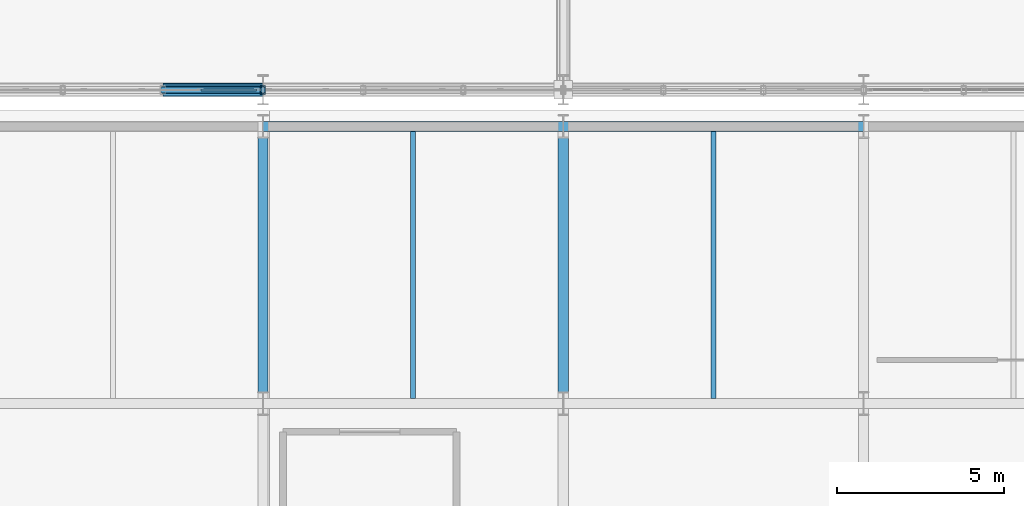
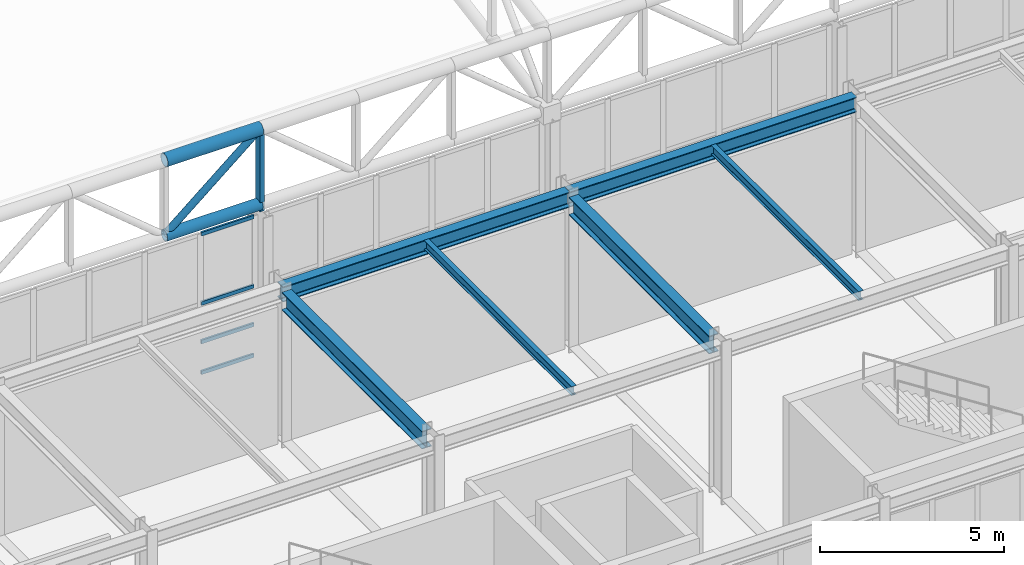
# One storey, part 64 of 239: 8 members, 6 beams, 1 element without a shape of its own.
"""IFC4 building model written with IfcOpenShell, lengths in metres."""

from ifc_helpers import new_model, si_unit, direction, frame, origin, origin_2d, place, context, subcontext, project, spatial, hollow_rectangle, hollow_circle, i_section, extrude, material, material_profile, profile_set, type_object, element, aggregate, save


model = new_model("IFC4")

# Units and contexts
model_context = context("Model", 3, precision=1e-05, world=origin(), true_north=direction((0.0, 1.0)))
body_context = subcontext(model_context, "Body", "Model", "MODEL_VIEW")
ifc_project = project(units=[si_unit("LENGTHUNIT", "METRE"), si_unit("AREAUNIT", "SQUARE_METRE"), si_unit("VOLUMEUNIT", "CUBIC_METRE"), si_unit("PLANEANGLEUNIT", "RADIAN"), si_unit("MASSUNIT", "GRAM", prefix="KILO")], contexts=[model_context])

# Site, building, storey
site_placement = place(None, origin())
site = spatial("IfcSite", under=ifc_project, at=site_placement, CompositionType="ELEMENT")
building_placement = place(site_placement, origin())
building = spatial("IfcBuilding", under=site, at=building_placement, Name="Kaldris Quays Convention Centre", CompositionType="ELEMENT")
storey_placement = place(building_placement, frame((0.0, 0.0, 11.39990234375)))
storey = spatial("IfcBuildingStorey", under=building, at=storey_placement, Name="L02", CompositionType="ELEMENT", Elevation=11.39990234375)

# Curtain wall, members
ifc_material_1 = material(Name="Anodized aluminium AW-6060 and triple glazing", Category="aluminium")
curtain_wall_type = type_object("IfcCurtainWallType", Name="UNITISED CURTAIN WALL CW03", PredefinedType="NOTDEFINED", material=ifc_material_1)
curtain_wall_placement = place(storey_placement, origin())
curtain_wall = element("IfcCurtainWall", 1, at=curtain_wall_placement, inside=storey, type_object=curtain_wall_type, Name="L02 Unitised Curtain Wall CW03 243", PredefinedType="NOTDEFINED")
ifc_material_2 = material(Name="Anodized aluminium AW-6060", Category="aluminium")
ifc_material_profile_1 = material_profile(ifc_material_2, hollow_rectangle(XDim=0.06005859375, YDim=0.1201171875, WallThickness=0.00390625, at=origin_2d()), Name="RHS 120x60x4")
ifc_profile_set_1 = profile_set([ifc_material_profile_1], Name="Anodized aluminium AW-6060")
member_type_1 = type_object("IfcMemberType", Name="CURTAIN TRANSOM CWT1", PredefinedType="USERDEFINED", material=ifc_profile_set_1)
member_1_placement = place(storey_placement, frame((99.14599609375, 56.0, 2.22509765625), z_axis=(1.0, 0.0, 0.0), x_axis=(0.0, 1.0, 0.0)))
member_1 = element("IfcMember", 2, at=member_1_placement, type_object=member_type_1, Name="CW03 transom 5.1", ObjectType="TRANSOM", PredefinedType="USERDEFINED", context=body_context, shape_type="SweptSolid", body=[
    extrude(hollow_rectangle(XDim=0.06005859375, YDim=0.1201171875, WallThickness=0.00390625, at=origin_2d()), origin(), (0.0, 0.0, 1.0), 1.654052734375),
])
member_2_placement = place(storey_placement, frame((99.14599609375, 56.0, 3.2451171875), z_axis=(1.0, 0.0, 0.0), x_axis=(0.0, 1.0, 0.0)))
member_2 = element("IfcMember", 3, at=member_2_placement, type_object=member_type_1, Name="CW03 transom 5.2", ObjectType="TRANSOM", PredefinedType="USERDEFINED", context=body_context, shape_type="SweptSolid", body=[
    extrude(hollow_rectangle(XDim=0.06005859375, YDim=0.1201171875, WallThickness=0.00390625, at=origin_2d()), origin(), (0.0, 0.0, 1.0), 1.654052734375),
])
member_3_placement = place(storey_placement, frame((99.14599609375, 56.0, 4.522216796875), z_axis=(1.0, 0.0, 0.0), x_axis=(0.0, 1.0, 0.0)))
member_3 = element("IfcMember", 4, at=member_3_placement, type_object=member_type_1, Name="CW03 transom 5.3", ObjectType="TRANSOM", PredefinedType="USERDEFINED", context=body_context, shape_type="SweptSolid", body=[
    extrude(hollow_rectangle(XDim=0.06005859375, YDim=0.1201171875, WallThickness=0.00390625, at=origin_2d()), origin(), (0.0, 0.0, 1.0), 1.654052734375),
])
member_4_placement = place(storey_placement, frame((99.14599609375, 56.0, 6.820068359375), z_axis=(1.0, 0.0, 0.0), x_axis=(0.0, 1.0, 0.0)))
member_4 = element("IfcMember", 5, at=member_4_placement, type_object=member_type_1, Name="CW03 transom 5.4", ObjectType="TRANSOM", PredefinedType="USERDEFINED", context=body_context, shape_type="SweptSolid", body=[
    extrude(hollow_rectangle(XDim=0.06005859375, YDim=0.1201171875, WallThickness=0.00390625, at=origin_2d()), origin(), (0.0, 0.0, 1.0), 1.654052734375),
])
aggregate(curtain_wall, [member_1, member_2, member_3, member_4])

# Beams
ifc_material_3 = material(Name="Steel S355J2", Category="steel")
ifc_material_profile_2 = material_profile(ifc_material_3, i_section(OverallWidth=0.300048828125, OverallDepth=0.5, WebThickness=0.014404296875, FlangeThickness=0.028076171875, FilletRadius=0.027099609375, at=origin_2d()), Name="HEB 500")
ifc_profile_set_2 = profile_set([ifc_material_profile_2], Name="Steel S355J2")
beam_type_1 = type_object("IfcBeamType", Name="STRUCTURAL BEAM BM06", PredefinedType="BEAM", material=ifc_profile_set_2)
for number, where, z_axis, x_axis, name in (
    (6, (101.00244140625, 54.89990234375, 4.9130859375), (1.0, 0.0, 0.0), (0.0, 1.0, 0.0), "L02 Girder BM06 21"),
    (7, (110.00244140625, 54.89990234375, 4.9130859375), (1.0, 0.0, 0.0), (0.0, 1.0, 0.0), "L02 Girder BM06 22"),
):
    element("IfcBeam", number, at=place(storey_placement, frame(where, z_axis=z_axis, x_axis=x_axis)), inside=storey, type_object=beam_type_1, Name=name, PredefinedType="BEAM", context=body_context, shape_type="SweptSolid", body=[
        extrude(i_section(OverallWidth=0.300048828125, OverallDepth=0.5, WebThickness=0.014404296875, FlangeThickness=0.028076171875, FilletRadius=0.027099609375, at=origin_2d()), origin(), (0.0, 0.0, 1.0), 8.9951171875),
    ])
ifc_material_profile_3 = material_profile(ifc_material_3, i_section(OverallWidth=0.300048828125, OverallDepth=0.590087890625, WebThickness=0.012939453125, FlangeThickness=0.02490234375, FilletRadius=0.027099609375, at=origin_2d()), Name="HEA 600")
ifc_profile_set_3 = profile_set([ifc_material_profile_3], Name="Steel S355J2")
beam_type_2 = type_object("IfcBeamType", Name="STRUCTURAL BEAM BM08", PredefinedType="BEAM", material=ifc_profile_set_3)
for number, where, z_axis, x_axis, name in (
    (8, (101.0, 46.944091796875, 4.8681640625), (0.0, 1.0, 0.0), (-1.0, 0.0, 0.0), "L02 Girder BM08 59"),
    (9, (110.0, 46.944091796875, 4.8681640625), (0.0, 1.0, 0.0), (-1.0, 0.0, 0.0), "L02 Girder BM08 60"),
):
    element("IfcBeam", number, at=place(storey_placement, frame(where, z_axis=z_axis, x_axis=x_axis)), inside=storey, type_object=beam_type_2, Name=name, PredefinedType="BEAM", context=body_context, shape_type="SweptSolid", body=[
        extrude(i_section(OverallWidth=0.300048828125, OverallDepth=0.590087890625, WebThickness=0.012939453125, FlangeThickness=0.02490234375, FilletRadius=0.027099609375, at=origin_2d()), origin(), (0.0, 0.0, 1.0), 7.61181640625),
    ])
ifc_material_profile_4 = material_profile(ifc_material_3, i_section(OverallWidth=0.14990234375, OverallDepth=0.300048828125, WebThickness=0.007080078125, FlangeThickness=0.0107421875, FilletRadius=0.014892578125, at=origin_2d()), Name="IPE 300")
ifc_profile_set_4 = profile_set([ifc_material_profile_4], Name="Steel S355J2")
beam_type_3 = type_object("IfcBeamType", Name="STRUCTURAL BEAM JT04", PredefinedType="JOIST", material=ifc_profile_set_4)
for number, where, z_axis, x_axis, name in (
    (10, (105.5, 46.743896484375, 5.01318359375), (0.0, 1.0, 0.0), (-1.0, 0.0, 0.0), "L02 Secondary Joist JT04 5"),
    (11, (114.5, 46.743896484375, 5.01318359375), (0.0, 1.0, 0.0), (-1.0, 0.0, 0.0), "L02 Secondary Joist JT04 6"),
):
    element("IfcBeam", number, at=place(storey_placement, frame(where, z_axis=z_axis, x_axis=x_axis)), inside=storey, type_object=beam_type_3, Name=name, PredefinedType="JOIST", context=body_context, shape_type="SweptSolid", body=[
        extrude(i_section(OverallWidth=0.14990234375, OverallDepth=0.300048828125, WebThickness=0.007080078125, FlangeThickness=0.0107421875, FilletRadius=0.014892578125, at=origin_2d()), origin(), (0.0, 0.0, 1.0), 8.01220703125),
    ])

# Members
ifc_material_4 = material(Name="Steel S355J2H", Category="steel")
ifc_material_profile_5 = material_profile(ifc_material_4, hollow_circle(Radius=0.203125, WallThickness=0.01611328125, at=origin_2d()), Name="CHS 406.4x16")
ifc_profile_set_5 = profile_set([ifc_material_profile_5], Name="Steel S355J2H")
member_type_2 = type_object("IfcMemberType", Name="STRUCTURAL MEMBER SC01", PredefinedType="CHORD", material=ifc_profile_set_5)
member_5_placement = place(storey_placement, frame((98.0, 56.0, 9.671875), z_axis=(1.0, 0.0, 0.0), x_axis=(0.0, 1.0, 0.0)))
element("IfcMember", 12, at=member_5_placement, inside=storey, type_object=member_type_2, Name="SF-V1 Top Chord X 27", PredefinedType="CHORD", context=body_context, shape_type="SweptSolid", body=[
    extrude(hollow_circle(Radius=0.203125, WallThickness=0.01611328125, at=origin_2d()), origin(), (0.0, 0.0, 1.0), 3.0),
])
ifc_material_profile_6 = material_profile(ifc_material_4, hollow_circle(Radius=0.177734375, WallThickness=0.01611328125, at=origin_2d()), Name="CHS 355.6x16")
ifc_profile_set_6 = profile_set([ifc_material_profile_6], Name="Steel S355J2H")
member_type_3 = type_object("IfcMemberType", Name="STRUCTURAL MEMBER SC02", PredefinedType="CHORD", material=ifc_profile_set_6)
member_6_placement = place(storey_placement, frame((98.0, 56.0, 7.171875), z_axis=(1.0, 0.0, 0.0), x_axis=(0.0, 1.0, 0.0)))
element("IfcMember", 13, at=member_6_placement, inside=storey, type_object=member_type_3, Name="SF-V1 Bottom Chord X 27", PredefinedType="CHORD", context=body_context, shape_type="SweptSolid", body=[
    extrude(hollow_circle(Radius=0.177734375, WallThickness=0.01611328125, at=origin_2d()), origin(), (0.0, 0.0, 1.0), 3.0),
])
ifc_material_profile_7 = material_profile(ifc_material_4, hollow_circle(Radius=0.109619140625, WallThickness=0.010009765625, at=origin_2d()), Name="CHS 219.1x10")
ifc_profile_set_7 = profile_set([ifc_material_profile_7], Name="Steel S355J2H")
member_type_4 = type_object("IfcMemberType", Name="STRUCTURAL MEMBER SWB1", PredefinedType="BRACE", material=ifc_profile_set_7)
member_7_placement = place(storey_placement, frame((98.0, 56.0, 7.171875), z_axis=(0.768221279597, 0.0, 0.640184399664), x_axis=(0.0, 1.0, 0.0)))
element("IfcMember", 14, at=member_7_placement, inside=storey, type_object=member_type_4, Name="SF-V1 Web Diagonal X 27", PredefinedType="BRACE", context=body_context, shape_type="SweptSolid", body=[
    extrude(hollow_circle(Radius=0.109619140625, WallThickness=0.010009765625, at=origin_2d()), origin(), (0.0, 0.0, 1.0), 3.905029296875),
])
ifc_material_profile_8 = material_profile(ifc_material_4, hollow_rectangle(XDim=0.14990234375, YDim=0.25, WallThickness=0.010009765625, at=origin_2d()), Name="RHS 250x150x10")
ifc_profile_set_8 = profile_set([ifc_material_profile_8], Name="Steel S355J2H")
member_type_5 = type_object("IfcMemberType", Name="STRUCTURAL MEMBER TTV1", PredefinedType="POST", material=ifc_profile_set_8)
member_8_placement = place(storey_placement, frame((101.0, 56.0, 6.994140625), z_axis=(0.0, 0.0, 1.0), x_axis=(1.0, 0.0, 0.0)))
element("IfcMember", 15, at=member_8_placement, inside=storey, type_object=member_type_5, Name="SF-V1 Space-Frame Post 322", PredefinedType="POST", context=body_context, shape_type="SweptSolid", body=[
    extrude(hollow_rectangle(XDim=0.14990234375, YDim=0.25, WallThickness=0.010009765625, at=origin_2d()), origin(), (0.0, 0.0, 1.0), 2.677734375),
])

save(model, "model.ifc")
